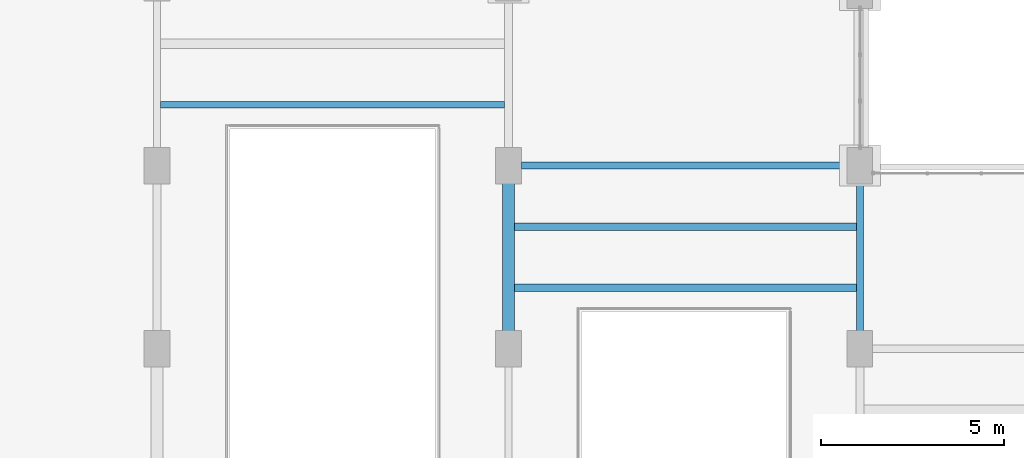
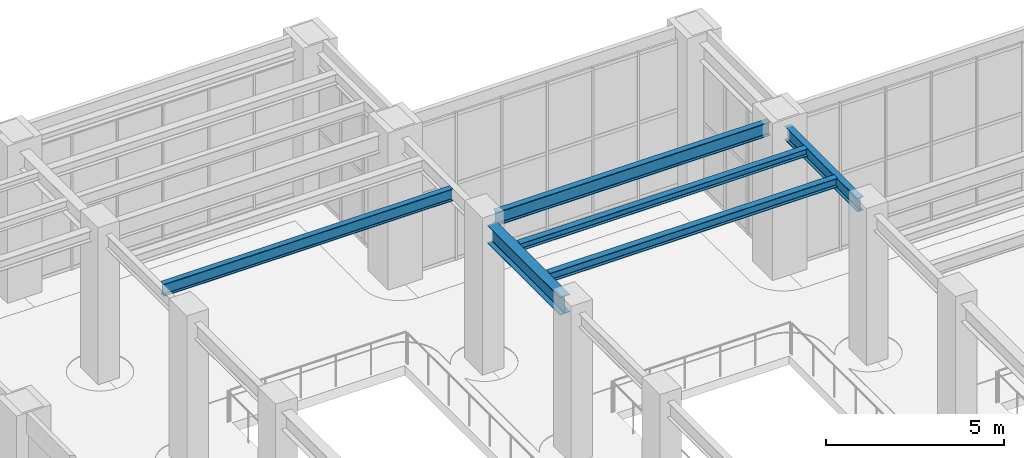
# One storey, part 85 of 164: 6 beams.
"""IFC4 building model written with IfcOpenShell, lengths in metres."""

from ifc_helpers import new_model, si_unit, direction, frame, origin, origin_2d, place, context, subcontext, project, spatial, i_section, extrude, material, material_profile, profile_set, type_object, element, save


model = new_model("IFC4")

# Units and contexts
model_context = context("Model", 3, precision=1e-05, world=origin(), true_north=direction((0.0, 1.0)))
body_context = subcontext(model_context, "Body", "Model", "MODEL_VIEW")
ifc_project = project(units=[si_unit("LENGTHUNIT", "METRE"), si_unit("AREAUNIT", "SQUARE_METRE"), si_unit("VOLUMEUNIT", "CUBIC_METRE"), si_unit("PLANEANGLEUNIT", "RADIAN"), si_unit("MASSUNIT", "GRAM", prefix="KILO")], contexts=[model_context])

# Site, building, storey
site_placement = place(None, origin())
site = spatial("IfcSite", under=ifc_project, at=site_placement, CompositionType="ELEMENT")
building_placement = place(site_placement, origin())
building = spatial("IfcBuilding", under=site, at=building_placement, Name="Mavantir Sound Aquarium", CompositionType="ELEMENT")
storey_placement = place(building_placement, origin())
storey = spatial("IfcBuildingStorey", under=building, at=storey_placement, Name="L00", CompositionType="ELEMENT", Elevation=0.0)

# Beams
ifc_material = material(Name="Structural Steel ASTM A992 Gr50", Category="steel")
ifc_material_profile_1 = material_profile(ifc_material, i_section(OverallWidth=0.202880859375, OverallDepth=0.251953125, WebThickness=0.008056640625, FlangeThickness=0.013427734375, FilletRadius=0.011962890625, at=origin_2d()), Name="W250X58")
ifc_profile_set_1 = profile_set([ifc_material_profile_1], Name="Structural Steel ASTM A992 Gr50")
beam_type_1 = type_object("IfcBeamType", Name="BM-W250X58-I", PredefinedType="JOIST", material=ifc_profile_set_1)
beam_1_placement = place(storey_placement, frame((117.761962890625, 84.13330078125, 4.97998046875), z_axis=(1.0, 0.0, 0.0), x_axis=(0.0, 1.0, 0.0)))
element("IfcBeam", 1, at=beam_1_placement, inside=storey, type_object=beam_type_1, Name="L00 secondary floor joist SJ-25 568", PredefinedType="JOIST", context=body_context, shape_type="SweptSolid", body=[
    extrude(i_section(OverallWidth=0.202880859375, OverallDepth=0.251953125, WebThickness=0.008056640625, FlangeThickness=0.013427734375, FilletRadius=0.011962890625, at=origin_2d()), origin(), (0.0, 0.0, 1.0), 9.341064453125),
])
ifc_material_profile_2 = material_profile(ifc_material, i_section(OverallWidth=0.205078125, OverallDepth=0.31005859375, WebThickness=0.009521484375, FlangeThickness=0.016357421875, FilletRadius=0.012939453125, at=origin_2d()), Name="W310X74")
ifc_profile_set_2 = profile_set([ifc_material_profile_2], Name="Structural Steel ASTM A992 Gr50")
beam_type_2 = type_object("IfcBeamType", Name="BM-W310X74-I", PredefinedType="JOIST", material=ifc_profile_set_2)
beam_2_placement = place(storey_placement, frame((117.761962890625, 82.466796875, 4.950927734375), z_axis=(1.0, 0.0, 0.0), x_axis=(0.0, 1.0, 0.0)))
element("IfcBeam", 2, at=beam_2_placement, inside=storey, type_object=beam_type_2, Name="L00 secondary floor joist SJ-31 567", PredefinedType="JOIST", context=body_context, shape_type="SweptSolid", body=[
    extrude(i_section(OverallWidth=0.205078125, OverallDepth=0.31005859375, WebThickness=0.009521484375, FlangeThickness=0.016357421875, FilletRadius=0.012939453125, at=origin_2d()), origin(), (0.0, 0.0, 1.0), 9.341064453125),
])
ifc_material_profile_3 = material_profile(ifc_material, i_section(OverallWidth=0.180908203125, OverallDepth=0.4169921875, WebThickness=0.010986328125, FlangeThickness=0.018310546875, FilletRadius=0.014892578125, at=origin_2d()), Name="W410X85")
ifc_profile_set_3 = profile_set([ifc_material_profile_3], Name="Structural Steel ASTM A992 Gr50")
beam_type_3 = type_object("IfcBeamType", Name="BM-W410X85-I", PredefinedType="JOIST", material=ifc_profile_set_3)
beam_3_placement = place(storey_placement, frame((108.096923828125, 87.466796875, 4.857421875), z_axis=(1.0, 0.0, 0.0), x_axis=(0.0, 1.0, 0.0)))
element("IfcBeam", 3, at=beam_3_placement, inside=storey, type_object=beam_type_3, Name="L00 secondary floor joist SJ-41 569", PredefinedType="JOIST", context=body_context, shape_type="SweptSolid", body=[
    extrude(i_section(OverallWidth=0.180908203125, OverallDepth=0.4169921875, WebThickness=0.010986328125, FlangeThickness=0.018310546875, FilletRadius=0.014892578125, at=origin_2d()), origin(), (0.0, 0.0, 1.0), 9.39697265625),
])
ifc_material_profile_4 = material_profile(ifc_material, i_section(OverallWidth=0.194091796875, OverallDepth=0.468994140625, WebThickness=0.0126953125, FlangeThickness=0.0205078125, FilletRadius=0.01611328125, at=origin_2d()), Name="W460X106")
ifc_profile_set_4 = profile_set([ifc_material_profile_4], Name="Structural Steel ASTM A992 Gr50")
beam_type_4 = type_object("IfcBeamType", Name="BM-W460X106-I", PredefinedType="BEAM", material=ifc_profile_set_4)
beam_4_placement = place(storey_placement, frame((117.949951171875, 85.800048828125, 4.87158203125), z_axis=(1.0, 0.0, 0.0), x_axis=(0.0, 1.0, 0.0)))
element("IfcBeam", 4, at=beam_4_placement, inside=storey, type_object=beam_type_4, Name="L00 primary beam SB-46 951", PredefinedType="BEAM", context=body_context, shape_type="SweptSolid", body=[
    extrude(i_section(OverallWidth=0.194091796875, OverallDepth=0.468994140625, WebThickness=0.0126953125, FlangeThickness=0.0205078125, FilletRadius=0.01611328125, at=origin_2d()), origin(), (0.0, 0.0, 1.0), 8.900146484375),
])
beam_5_placement = place(storey_placement, frame((127.199951171875, 81.25, 4.8515625), z_axis=(0.0, 1.0, 0.0), x_axis=(-1.0, 0.0, 0.0)))
element("IfcBeam", 5, at=beam_5_placement, inside=storey, type_object=beam_type_4, Name="L00 primary girder SB-46 993", PredefinedType="BEAM", context=body_context, shape_type="SweptSolid", body=[
    extrude(i_section(OverallWidth=0.194091796875, OverallDepth=0.468994140625, WebThickness=0.0126953125, FlangeThickness=0.0205078125, FilletRadius=0.01611328125, at=origin_2d()), origin(), (0.0, 0.0, 1.0), 4.10009765625),
])
ifc_material_profile_5 = material_profile(ifc_material, i_section(OverallWidth=0.323974609375, OverallDepth=0.611083984375, WebThickness=0.0126953125, FlangeThickness=0.01904296875, FilletRadius=0.01904296875, at=origin_2d()), Name="W610X155")
ifc_profile_set_5 = profile_set([ifc_material_profile_5], Name="Structural Steel ASTM A992 Gr50")
beam_type_5 = type_object("IfcBeamType", Name="BM-W610X155-I", PredefinedType="BEAM", material=ifc_profile_set_5)
beam_6_placement = place(storey_placement, frame((117.60009765625, 81.25, 4.760498046875), z_axis=(0.0, 1.0, 0.0), x_axis=(-1.0, 0.0, 0.0)))
element("IfcBeam", 6, at=beam_6_placement, inside=storey, type_object=beam_type_5, Name="L00 primary girder SB-61A 982", PredefinedType="BEAM", context=body_context, shape_type="SweptSolid", body=[
    extrude(i_section(OverallWidth=0.323974609375, OverallDepth=0.611083984375, WebThickness=0.0126953125, FlangeThickness=0.01904296875, FilletRadius=0.01904296875, at=origin_2d()), origin(), (0.0, 0.0, 1.0), 4.10009765625),
])

save(model, "model.ifc")
